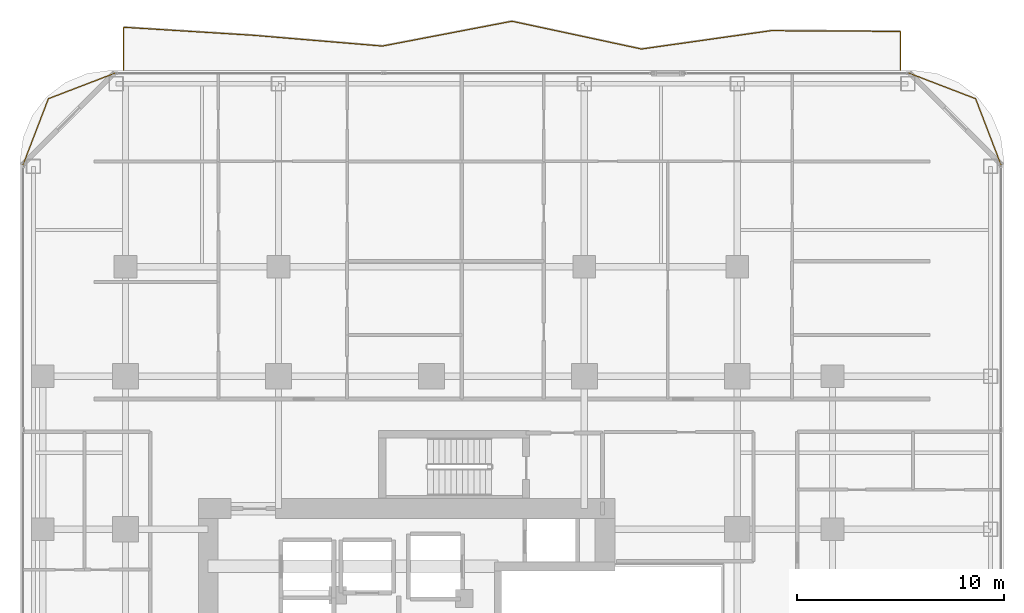
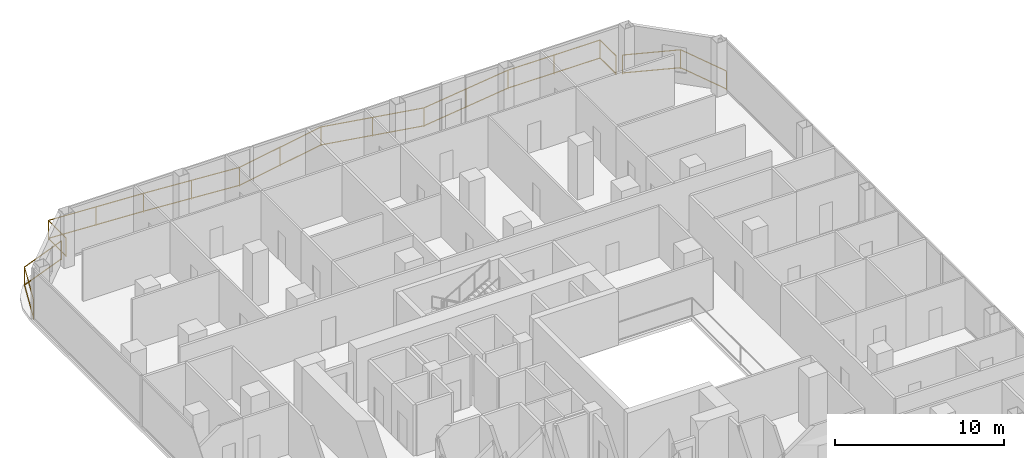
# One storey, part 27 of 27: 3 railings.
"""IFC4 building model written with IfcOpenShell, lengths in metres."""

from ifc_helpers import new_model, si_unit, direction, frame, origin, origin_2d, place, context, subcontext, project, spatial, rectangle, extrude, material, type_object, element, save


model = new_model("IFC4")

# Units and contexts
model_context = context("Model", 3, precision=1e-05, world=origin(), true_north=direction((0.0, 1.0)))
body_context = subcontext(model_context, "Body", "Model", "MODEL_VIEW")
ifc_project = project(units=[si_unit("LENGTHUNIT", "METRE"), si_unit("AREAUNIT", "SQUARE_METRE"), si_unit("VOLUMEUNIT", "CUBIC_METRE"), si_unit("PLANEANGLEUNIT", "RADIAN"), si_unit("MASSUNIT", "GRAM", prefix="KILO")], contexts=[model_context])

# Site, building, storey
site_placement = place(None, origin())
site = spatial("IfcSite", under=ifc_project, at=site_placement, CompositionType="ELEMENT")
building_placement = place(site_placement, origin())
building = spatial("IfcBuilding", under=site, at=building_placement, Name="Khorvyn Point Tower", CompositionType="ELEMENT")
storey_placement = place(building_placement, frame((0.0, 0.0, 125.10009765625)))
storey = spatial("IfcBuildingStorey", under=building, at=storey_placement, Name="L31", CompositionType="ELEMENT", Elevation=125.10009765625)

# Railings
ifc_material = material(Name="Anodised aluminium 6063-T6 and laminated safety glass", Category="aluminium")
railing_type = type_object("IfcRailingType", Name="Laminated Glass and Aluminium Balcony Guardrail 1400", PredefinedType="BALUSTRADE", material=ifc_material)
railing_1_placement = place(storey_placement, frame((-15.27587890625, 29.47412109375, 0.0)))
element("IfcRailing", 1, at=railing_1_placement, inside=storey, type_object=railing_type, Name="L31 Rounded Corner Edge Guardrail NW", PredefinedType="BALUSTRADE", context=body_context, shape_type="SweptSolid", body=[
    extrude(rectangle(XDim=0.048095703125, YDim=0.048095703125, at=origin_2d()), frame((0.0, 0.0, 1.3759765625), z_axis=(-0.933574931257, -0.358382264808, 0.0), x_axis=(0.358382264808, -0.933574931257, 0.0)), (0.0, 0.0, 1.0), 3.481689453125),
    extrude(rectangle(XDim=0.048095703125, YDim=0.048095703125, at=origin_2d()), frame((0.0, 0.0, 0.080078125), z_axis=(-0.933574931257, -0.358382264808, 0.0), x_axis=(0.358382264808, -0.933574931257, 0.0)), (0.0, 0.0, 1.0), 3.481689453125),
    extrude(rectangle(XDim=0.048095703125, YDim=0.048095703125, at=origin_2d()), frame((-3.25048828125, -1.247802734375, 1.3759765625), z_axis=(-0.35840572668, -0.933565924337, 0.0), x_axis=(0.933565924337, -0.35840572668, 0.0)), (0.0, 0.0, 1.0), 3.4814453125),
    extrude(rectangle(XDim=0.048095703125, YDim=0.048095703125, at=origin_2d()), frame((-3.25048828125, -1.247802734375, 0.080078125), z_axis=(-0.35840572668, -0.933565924337, 0.0), x_axis=(0.933565924337, -0.35840572668, 0.0)), (0.0, 0.0, 1.0), 3.4814453125),
    extrude(rectangle(XDim=0.0419921875, YDim=0.0419921875, at=origin_2d()), origin(), (0.0, 0.0, 1.0), 1.351806640625),
    extrude(rectangle(XDim=0.0419921875, YDim=0.0419921875, at=origin_2d()), frame((-3.25048828125, -1.247802734375, 0.0)), (0.0, 0.0, 1.0), 1.351806640625),
    extrude(rectangle(XDim=0.0419921875, YDim=0.0419921875, at=origin_2d()), frame((-4.498291015625, -4.498046875, 0.0)), (0.0, 0.0, 1.0), 1.351806640625),
])
railing_2_placement = place(storey_placement, frame((27.57421875, 24.97607421875, 0.0)))
element("IfcRailing", 2, at=railing_2_placement, inside=storey, type_object=railing_type, Name="L31 Rounded Corner Edge Guardrail NE", PredefinedType="BALUSTRADE", context=body_context, shape_type="SweptSolid", body=[
    extrude(rectangle(XDim=0.048095703125, YDim=0.048095703125, at=origin_2d()), frame((0.0, 0.0, 1.3759765625), z_axis=(-0.35840572668, 0.933565924337, 0.0), x_axis=(-0.933565924337, -0.35840572668, 0.0)), (0.0, 0.0, 1.0), 3.4814453125),
    extrude(rectangle(XDim=0.048095703125, YDim=0.048095703125, at=origin_2d()), frame((0.0, 0.0, 0.080078125), z_axis=(-0.35840572668, 0.933565924337, 0.0), x_axis=(-0.933565924337, -0.35840572668, 0.0)), (0.0, 0.0, 1.0), 3.4814453125),
    extrude(rectangle(XDim=0.048095703125, YDim=0.048095703125, at=origin_2d()), frame((-1.247802734375, 3.250244140625, 1.3759765625), z_axis=(-0.933574931257, 0.358382264808, 0.0), x_axis=(-0.358382264808, -0.933574931257, 0.0)), (0.0, 0.0, 1.0), 3.481689453125),
    extrude(rectangle(XDim=0.048095703125, YDim=0.048095703125, at=origin_2d()), frame((-1.247802734375, 3.250244140625, 0.080078125), z_axis=(-0.933574931257, 0.358382264808, 0.0), x_axis=(-0.358382264808, -0.933574931257, 0.0)), (0.0, 0.0, 1.0), 3.481689453125),
    extrude(rectangle(XDim=0.0419921875, YDim=0.0419921875, at=origin_2d()), origin(), (0.0, 0.0, 1.0), 1.351806640625),
    extrude(rectangle(XDim=0.0419921875, YDim=0.0419921875, at=origin_2d()), frame((-1.247802734375, 3.250244140625, 0.0)), (0.0, 0.0, 1.0), 1.351806640625),
    extrude(rectangle(XDim=0.0419921875, YDim=0.0419921875, at=origin_2d()), frame((-4.498291015625, 4.498046875, 0.0)), (0.0, 0.0, 1.0), 1.351806640625),
])
railing_3_placement = place(storey_placement, frame((22.699951171875, 29.60009765625, 0.0)))
element("IfcRailing", 3, at=railing_3_placement, inside=storey, type_object=railing_type, Name="L31 North Balcony Guardrail", PredefinedType="BALUSTRADE", context=body_context, shape_type="SweptSolid", body=[
    extrude(rectangle(XDim=0.048095703125, YDim=0.048095703125, at=origin_2d()), frame((0.0, 0.0, 1.3759765625), z_axis=(0.0, 1.0, 0.0), x_axis=(-1.0, 0.0, 0.0)), (0.0, 0.0, 1.0), 1.88134765625),
    extrude(rectangle(XDim=0.048095703125, YDim=0.048095703125, at=origin_2d()), frame((0.0, 0.0, 0.080078125), z_axis=(0.0, 1.0, 0.0), x_axis=(-1.0, 0.0, 0.0)), (0.0, 0.0, 1.0), 1.88134765625),
    extrude(rectangle(XDim=0.048095703125, YDim=0.048095703125, at=origin_2d()), frame((0.0, 1.88134765625, 1.3759765625), z_axis=(-0.999983601281, 0.005726881307, 0.0), x_axis=(-0.005726881307, -0.999983601281, 0.0)), (0.0, 0.0, 1.0), 6.2666015625),
    extrude(rectangle(XDim=0.048095703125, YDim=0.048095703125, at=origin_2d()), frame((0.0, 1.88134765625, 0.080078125), z_axis=(-0.999983601281, 0.005726881307, 0.0), x_axis=(-0.005726881307, -0.999983601281, 0.0)), (0.0, 0.0, 1.0), 6.2666015625),
    extrude(rectangle(XDim=0.048095703125, YDim=0.048095703125, at=origin_2d()), frame((-6.2666015625, 1.917236328125, 1.3759765625), z_axis=(-0.990115445767, -0.14025478264, 0.0), x_axis=(0.14025478264, -0.990115445767, 0.0)), (0.0, 0.0, 1.0), 6.3291015625),
    extrude(rectangle(XDim=0.048095703125, YDim=0.048095703125, at=origin_2d()), frame((-6.2666015625, 1.917236328125, 0.080078125), z_axis=(-0.990115445767, -0.14025478264, 0.0), x_axis=(0.14025478264, -0.990115445767, 0.0)), (0.0, 0.0, 1.0), 6.3291015625),
    extrude(rectangle(XDim=0.048095703125, YDim=0.048095703125, at=origin_2d()), frame((-12.533203125, 1.029541015625, 1.3759765625), z_axis=(-0.977767281962, 0.209692971569, 0.0), x_axis=(-0.209692971569, -0.977767281962, 0.0)), (0.0, 0.0, 1.0), 6.409423828125),
    extrude(rectangle(XDim=0.048095703125, YDim=0.048095703125, at=origin_2d()), frame((-12.533203125, 1.029541015625, 0.080078125), z_axis=(-0.977767281962, 0.209692971569, 0.0), x_axis=(-0.209692971569, -0.977767281962, 0.0)), (0.0, 0.0, 1.0), 6.409423828125),
    extrude(rectangle(XDim=0.048095703125, YDim=0.048095703125, at=origin_2d()), frame((-18.800048828125, 2.37353515625, 1.3759765625), z_axis=(-0.982120889732, -0.188251315937, 0.0), x_axis=(0.188251315937, -0.982120889732, 0.0)), (0.0, 0.0, 1.0), 6.380615234375),
    extrude(rectangle(XDim=0.048095703125, YDim=0.048095703125, at=origin_2d()), frame((-18.800048828125, 2.37353515625, 0.080078125), z_axis=(-0.982120889732, -0.188251315937, 0.0), x_axis=(0.188251315937, -0.982120889732, 0.0)), (0.0, 0.0, 1.0), 6.380615234375),
    extrude(rectangle(XDim=0.048095703125, YDim=0.048095703125, at=origin_2d()), frame((-25.066650390625, 1.17236328125, 1.3759765625), z_axis=(-0.996536112454, 0.083161148234, 0.0), x_axis=(-0.083161148234, -0.996536112454, 0.0)), (0.0, 0.0, 1.0), 6.288330078125),
    extrude(rectangle(XDim=0.048095703125, YDim=0.048095703125, at=origin_2d()), frame((-25.066650390625, 1.17236328125, 0.080078125), z_axis=(-0.996536112454, 0.083161148234, 0.0), x_axis=(-0.083161148234, -0.996536112454, 0.0)), (0.0, 0.0, 1.0), 6.288330078125),
    extrude(rectangle(XDim=0.048095703125, YDim=0.048095703125, at=origin_2d()), frame((-31.333251953125, 1.6953125, 1.3759765625), z_axis=(-0.998086922603, 0.061826328773, 0.0), x_axis=(-0.061826328773, -0.998086922603, 0.0)), (0.0, 0.0, 1.0), 6.278564453125),
    extrude(rectangle(XDim=0.048095703125, YDim=0.048095703125, at=origin_2d()), frame((-31.333251953125, 1.6953125, 0.080078125), z_axis=(-0.998086922603, 0.061826328773, 0.0), x_axis=(-0.061826328773, -0.998086922603, 0.0)), (0.0, 0.0, 1.0), 6.278564453125),
    extrude(rectangle(XDim=0.048095703125, YDim=0.048095703125, at=origin_2d()), frame((-37.599853515625, 2.08349609375, 1.3759765625), z_axis=(0.0, -1.0, 0.0), x_axis=(1.0, 0.0, 0.0)), (0.0, 0.0, 1.0), 2.08349609375),
    extrude(rectangle(XDim=0.048095703125, YDim=0.048095703125, at=origin_2d()), frame((-37.599853515625, 2.08349609375, 0.080078125), z_axis=(0.0, -1.0, 0.0), x_axis=(1.0, 0.0, 0.0)), (0.0, 0.0, 1.0), 2.08349609375),
    extrude(rectangle(XDim=0.0419921875, YDim=0.0419921875, at=origin_2d()), origin(), (0.0, 0.0, 1.0), 1.351806640625),
    extrude(rectangle(XDim=0.0419921875, YDim=0.0419921875, at=origin_2d()), frame((0.0, 1.88134765625, 0.0)), (0.0, 0.0, 1.0), 1.351806640625),
    extrude(rectangle(XDim=0.0419921875, YDim=0.0419921875, at=origin_2d()), frame((-3.13330078125, 1.8994140625, 0.0)), (0.0, 0.0, 1.0), 1.351806640625),
    extrude(rectangle(XDim=0.0419921875, YDim=0.0419921875, at=origin_2d()), frame((-6.2666015625, 1.917236328125, 0.0)), (0.0, 0.0, 1.0), 1.351806640625),
    extrude(rectangle(XDim=0.0419921875, YDim=0.0419921875, at=origin_2d()), frame((-9.39990234375, 1.473388671875, 0.0)), (0.0, 0.0, 1.0), 1.351806640625),
    extrude(rectangle(XDim=0.0419921875, YDim=0.0419921875, at=origin_2d()), frame((-12.533203125, 1.029541015625, 0.0)), (0.0, 0.0, 1.0), 1.351806640625),
    extrude(rectangle(XDim=0.0419921875, YDim=0.0419921875, at=origin_2d()), frame((-15.66650390625, 1.70166015625, 0.0)), (0.0, 0.0, 1.0), 1.351806640625),
    extrude(rectangle(XDim=0.0419921875, YDim=0.0419921875, at=origin_2d()), frame((-18.800048828125, 2.37353515625, 0.0)), (0.0, 0.0, 1.0), 1.351806640625),
    extrude(rectangle(XDim=0.0419921875, YDim=0.0419921875, at=origin_2d()), frame((-21.933349609375, 1.77294921875, 0.0)), (0.0, 0.0, 1.0), 1.351806640625),
    extrude(rectangle(XDim=0.0419921875, YDim=0.0419921875, at=origin_2d()), frame((-25.066650390625, 1.17236328125, 0.0)), (0.0, 0.0, 1.0), 1.351806640625),
    extrude(rectangle(XDim=0.0419921875, YDim=0.0419921875, at=origin_2d()), frame((-28.199951171875, 1.433837890625, 0.0)), (0.0, 0.0, 1.0), 1.351806640625),
    extrude(rectangle(XDim=0.0419921875, YDim=0.0419921875, at=origin_2d()), frame((-31.333251953125, 1.6953125, 0.0)), (0.0, 0.0, 1.0), 1.351806640625),
    extrude(rectangle(XDim=0.0419921875, YDim=0.0419921875, at=origin_2d()), frame((-34.466552734375, 1.889404296875, 0.0)), (0.0, 0.0, 1.0), 1.351806640625),
    extrude(rectangle(XDim=0.0419921875, YDim=0.0419921875, at=origin_2d()), frame((-37.599853515625, 2.08349609375, 0.0)), (0.0, 0.0, 1.0), 1.351806640625),
    extrude(rectangle(XDim=0.0419921875, YDim=0.0419921875, at=origin_2d()), frame((-37.599853515625, 0.0, 0.0)), (0.0, 0.0, 1.0), 1.351806640625),
])

save(model, "model.ifc")
